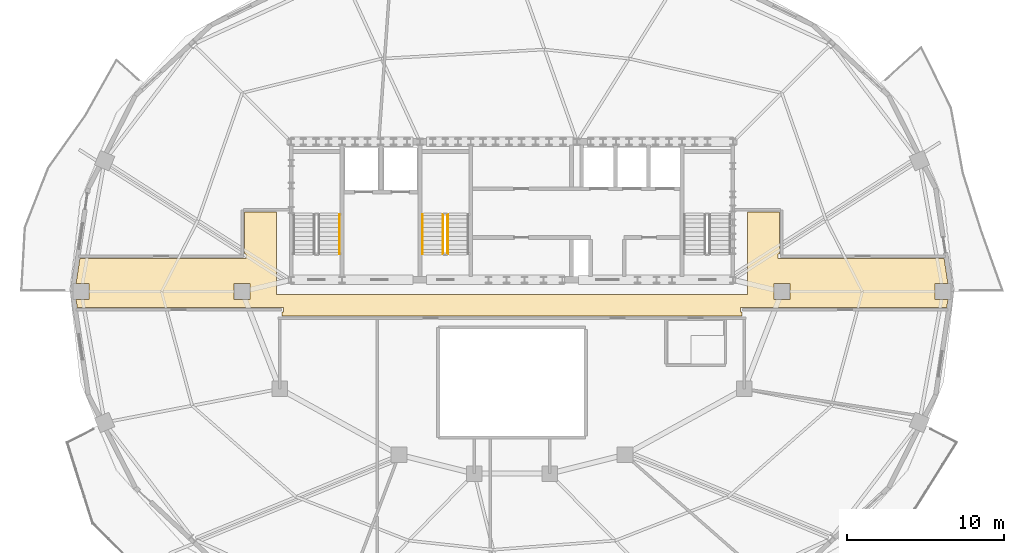
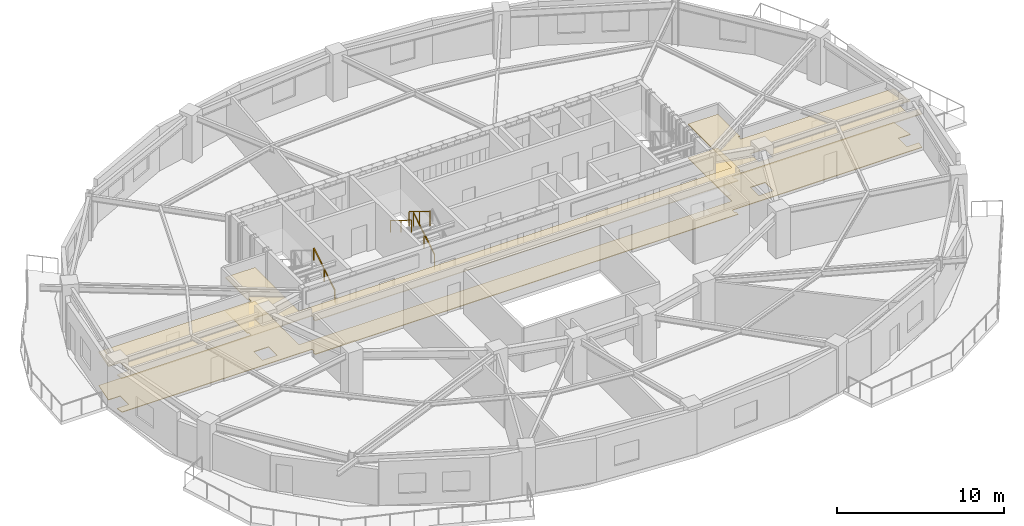
# One storey, part 9 of 11: 4 railings, 2 coverings.
"""IFC4 building model written with IfcOpenShell, lengths in metres."""

import ifcopenshell
import ifcopenshell.guid

model = None  # the IFC model being written
_history = None  # IfcOwnerHistory: only IFC2X3 demands one
_inside = {}  # id of a spatial element -> (the spatial element, [elements in it])
_under = {}  # id of a project, library or spatial element -> (it, [spatial elements below it])
_declared = {}  # id of a project -> (the project, [libraries it declares])
_typed = {}  # id of a type object -> (the type object, [elements of that type])
_made_of = {}  # id of a material, layer set ... -> (it, [elements and type objects made of it])


def new_model(schema):
    """Start an empty IFC model of exactly this schema.

    Asked for "IFC4X3", IfcOpenShell would pick the latest addendum, in which some entities
    have other attributes; the version numbers below select the first issue.
    IFC2X3 requires an IfcOwnerHistory on every rooted entity: one is made here for all.
    """
    global model, _history
    if schema == "IFC4X3":
        model = ifcopenshell.file(schema_version=(4, 3, 0, 0))
    else:
        model = ifcopenshell.file(schema=schema)
    _inside.clear()
    _under.clear()
    _declared.clear()
    _typed.clear()
    _made_of.clear()
    _history = None
    if model.schema == "IFC2X3":
        org = make("IfcOrganization", Name="unknown")
        user = make(
            "IfcPersonAndOrganization",
            ThePerson=make("IfcPerson", FamilyName="unknown"),
            TheOrganization=org,
        )
        app = make(
            "IfcApplication",
            ApplicationDeveloper=org,
            Version="unknown",
            ApplicationFullName="unknown",
            ApplicationIdentifier="unknown",
        )
        _history = make(
            "IfcOwnerHistory",
            OwningUser=user,
            OwningApplication=app,
            ChangeAction="ADDED",
            CreationDate=0,
        )
    return model


def make(cls, **values):
    """One entity of the class cls with the attributes given. An attribute that is None is left unset."""
    return model.create_entity(
        cls, **{name: value for name, value in values.items() if value is not None}
    )


def rooted(cls, **values):
    """An entity with a GlobalId (a new one), such as an element, a storey or a relation."""
    return make(cls, GlobalId=ifcopenshell.guid.new(), OwnerHistory=_history, **values)


def si_unit(unit_type, name, prefix=None):
    """IfcSIUnit, for example si_unit("LENGTHUNIT", "METRE", prefix="MILLI")."""
    return make("IfcSIUnit", UnitType=unit_type, Prefix=prefix, Name=name)


def assignment(units):
    """IfcUnitAssignment: the units of a project."""
    return None if units is None else make("IfcUnitAssignment", Units=units)


def point(xyz):
    """IfcCartesianPoint."""
    return None if xyz is None else make("IfcCartesianPoint", Coordinates=xyz)


def direction(xyz):
    """IfcDirection."""
    return None if xyz is None else make("IfcDirection", DirectionRatios=xyz)


def frame(location, z_axis=None, x_axis=None):
    """IfcAxis2Placement3D, a coordinate frame: its origin and axes. An axis left out is left unset."""
    return make(
        "IfcAxis2Placement3D",
        Location=point(location),
        Axis=direction(z_axis),
        RefDirection=direction(x_axis),
    )


def frame_2d(location, x_axis=None):
    """IfcAxis2Placement2D, a coordinate frame in the plane: its origin and x axis."""
    return make(
        "IfcAxis2Placement2D", Location=point(location), RefDirection=direction(x_axis)
    )


def origin():
    """The frame at (0, 0, 0) with its axes left unset."""
    return frame((0.0, 0.0, 0.0))


def origin_2d():
    """The frame at (0, 0) in the plane with its x axis left unset."""
    return frame_2d((0.0, 0.0))


def place(relative_to, where):
    """IfcLocalPlacement: puts the frame where relative to a parent placement (None: the world)."""
    return make(
        "IfcLocalPlacement", PlacementRelTo=relative_to, RelativePlacement=where
    )


def context(
    kind, dimensions, precision=None, world=None, true_north=None, identifier=None
):
    """IfcGeometricRepresentationContext, for example the 3D "Model" context."""
    return make(
        "IfcGeometricRepresentationContext",
        ContextIdentifier=identifier,
        ContextType=kind,
        CoordinateSpaceDimension=dimensions,
        Precision=precision,
        WorldCoordinateSystem=world,
        TrueNorth=true_north,
    )


def subcontext(parent, identifier, kind, view, scale=None):
    """IfcGeometricRepresentationSubContext, for example "Body" below "Model"."""
    return make(
        "IfcGeometricRepresentationSubContext",
        ContextIdentifier=identifier,
        ContextType=kind,
        ParentContext=parent,
        TargetScale=scale,
        TargetView=view,
    )


def project(units=None, contexts=None):
    """IfcProject with its units and contexts."""
    return rooted(
        "IfcProject",
        Name="project",
        RepresentationContexts=contexts,
        UnitsInContext=assignment(units),
    )


def spatial(cls, under=None, at=None, **own):
    """A site, building, storey or space (cls), placed at a placement, below another one or the project."""
    s = rooted(cls, ObjectPlacement=at, **own)
    if under is not None:
        _under.setdefault(under.id(), (under, []))[1].append(s)
    return s


def polyline(points):
    """IfcPolyline through the points."""
    return make("IfcPolyline", Points=[point(p) for p in points])


def profile(cls, at=None, kind="AREA", **sizes):
    """A parametric profile (cls). Its sizes go by their IFC names, for example OverallWidth=200.0."""
    return make(cls, ProfileType=kind, Position=at, **sizes)


def rectangle(**sizes):
    """IfcRectangleProfileDef."""
    return profile("IfcRectangleProfileDef", **sizes)


def outline(outer, holes=None, kind="AREA"):
    """IfcArbitraryClosedProfileDef: a profile drawn as a closed curve; with holes, ...WithVoids."""
    if holes is None:
        return make("IfcArbitraryClosedProfileDef", ProfileType=kind, OuterCurve=outer)
    return make(
        "IfcArbitraryProfileDefWithVoids",
        ProfileType=kind,
        OuterCurve=outer,
        InnerCurves=holes,
    )


def extrude(swept, where, along, depth):
    """IfcExtrudedAreaSolid: the profile swept, set in the frame where, extruded along a direction by depth."""
    return make(
        "IfcExtrudedAreaSolid",
        SweptArea=swept,
        Position=where,
        ExtrudedDirection=direction(along),
        Depth=depth,
    )


def shape(context_of_items, identifier, shape_type, items):
    """IfcShapeRepresentation: the items that make up one representation, for example the "Body"."""
    return make(
        "IfcShapeRepresentation",
        ContextOfItems=context_of_items,
        RepresentationIdentifier=identifier,
        RepresentationType=shape_type,
        Items=items,
    )


def material(Name=None, Category=None):
    """IfcMaterial."""
    return make("IfcMaterial", Name=Name, Category=Category)


def layer(
    of_material, thickness, ventilated=None, Name=None, Category=None, Priority=None
):
    """IfcMaterialLayer: one layer of a wall or slab, of a material (None: an air gap)."""
    return make(
        "IfcMaterialLayer",
        Material=of_material,
        LayerThickness=thickness,
        IsVentilated=ventilated,
        Name=Name,
        Category=Category,
        Priority=Priority,
    )


def layer_set(layers, Name=None):
    """IfcMaterialLayerSet."""
    return make("IfcMaterialLayerSet", MaterialLayers=layers, LayerSetName=Name)


def made_of(thing, what):
    """Note that an element or type object is made of a material, layer set ...; save() writes the relation."""
    if what is not None:
        _made_of.setdefault(what.id(), (what, []))[1].append(thing)
    return thing


def type_object(cls, material=None, **own):
    """A type object (cls), such as IfcWallType, which elements share."""
    return made_of(rooted(cls, **own), material)


def element(
    cls,
    number,
    at=None,
    inside=None,
    cuts=None,
    type_object=None,
    material=None,
    context=None,
    identifier="Body",
    shape_type=None,
    held_by="IfcProductDefinitionShape",
    body=None,
    shapes=None,
    **own,
):
    """One element of the class cls, such as IfcWall. Its Tag is "e" and its number.

    at: its placement. inside: the storey or other place that contains it. cuts: it is an
    opening in that element (IfcRelVoidsElement). A single representation is given by context,
    identifier, shape_type and body (its items); several are given by shapes. held_by: the class
    of the entity that holds the representations. save() writes the other relations.
    """
    e = rooted(cls, Tag="e%d" % number, ObjectPlacement=at, **own)
    if body is not None:
        shapes = [shape(context, identifier, shape_type, body)]
    if shapes is not None:
        e.Representation = make(held_by, Representations=shapes)
    if inside is not None:
        _inside.setdefault(inside.id(), (inside, []))[1].append(e)
    if cuts is not None:
        rooted(
            "IfcRelVoidsElement", RelatingBuildingElement=cuts, RelatedOpeningElement=e
        )
    if type_object is not None:
        _typed.setdefault(type_object.id(), (type_object, []))[1].append(e)
    return made_of(e, material)


def aggregate(whole, parts):
    """IfcRelAggregates: a whole, such as a stair, and the parts it consists of."""
    return rooted("IfcRelAggregates", RelatingObject=whole, RelatedObjects=parts)


def save(model, path):
    """Write the relations noted so far, then the file.

    IfcRelAggregates (storeys below a building ...), IfcRelContainedInSpatialStructure (elements
    in a storey), IfcRelDefinesByType, IfcRelAssociatesMaterial and IfcRelDeclares: one each for
    every whole, place, type object, material and project.
    """
    for whole, parts in _under.values():
        aggregate(whole, parts)
    for where, things in _inside.values():
        rooted(
            "IfcRelContainedInSpatialStructure",
            RelatedElements=things,
            RelatingStructure=where,
        )
    for kind, things in _typed.values():
        rooted("IfcRelDefinesByType", RelatedObjects=things, RelatingType=kind)
    for what, things in _made_of.values():
        rooted("IfcRelAssociatesMaterial", RelatedObjects=things, RelatingMaterial=what)
    for by, libraries in _declared.values():
        rooted("IfcRelDeclares", RelatingContext=by, RelatedDefinitions=libraries)
    model.write(path)


model = new_model("IFC4")

# Units and contexts
model_context = context("Model", 3, precision=1e-05, world=origin(), true_north=direction((0.0, 1.0)))
body_context = subcontext(model_context, "Body", "Model", "MODEL_VIEW")
ifc_project = project(units=[si_unit("LENGTHUNIT", "METRE"), si_unit("AREAUNIT", "SQUARE_METRE"), si_unit("VOLUMEUNIT", "CUBIC_METRE"), si_unit("PLANEANGLEUNIT", "RADIAN"), si_unit("MASSUNIT", "GRAM", prefix="KILO")], contexts=[model_context])

# Site, building, storey
site_placement = place(None, origin())
site = spatial("IfcSite", under=ifc_project, at=site_placement, CompositionType="ELEMENT")
building_placement = place(site_placement, origin())
building = spatial("IfcBuilding", under=site, at=building_placement, Name="Haldorwick Loom Tower", CompositionType="ELEMENT")
storey_placement = place(building_placement, frame((0.0, 0.0, 230.550048828125)))
storey = spatial("IfcBuildingStorey", under=building, at=storey_placement, Name="L62", CompositionType="ELEMENT", Elevation=230.550048828125)

# Coverings
ifc_material_1 = material(Name="Mineral Fibre Acoustic Ceiling Tile")
ifc_layer_1 = layer(ifc_material_1, 0.054931640625, Name="Mineral Fibre Acoustic Ceiling Tile")
ifc_layer_set_1 = layer_set([ifc_layer_1], Name="Mineral Fibre Acoustic Ceiling Tile")
covering_type_1 = type_object("IfcCoveringType", Name="ARC-COV-CEIL2", PredefinedType="CEILING", material=ifc_layer_set_1)
covering_1_placement = place(storey_placement, frame((0.0, 0.0, 2.458984375)))
element("IfcCovering", 1, at=covering_1_placement, inside=storey, type_object=covering_type_1, Name="L62 Acoustic Suspended Ceiling 1", PredefinedType="CEILING", context=body_context, shape_type="SweptSolid", body=[
    extrude(outline(polyline([(8.2939453125, 24.989990234375), (21.419921875, 24.989990234375), (21.422119140625, 24.989990234375), (21.423828125, 24.989501953125), (21.42578125, 24.989013671875), (21.427734375, 24.988525390625), (21.429443359375, 24.987548828125), (21.43115234375, 24.986572265625), (21.4326171875, 24.985595703125), (21.43408203125, 24.984130859375), (21.435546875, 24.982666015625), (21.4365234375, 24.981201171875), (21.4375, 24.9794921875), (21.4384765625, 24.977783203125), (21.439208984375, 24.975830078125), (21.439697265625, 24.973876953125), (21.43994140625, 24.971923828125), (21.43994140625, 24.969970703125), (21.43994140625, 24.72998046875), (21.43994140625, 24.72802734375), (21.439697265625, 24.72607421875), (21.439208984375, 24.72412109375), (21.4384765625, 24.722412109375), (21.4375, 24.720703125), (21.4365234375, 24.718994140625), (21.435546875, 24.71728515625), (21.43408203125, 24.7158203125), (21.4326171875, 24.714599609375), (21.43115234375, 24.71337890625), (21.429443359375, 24.71240234375), (21.427734375, 24.71142578125), (21.42578125, 24.7109375), (21.423828125, 24.71044921875), (21.422119140625, 24.710205078125), (21.419921875, 24.7099609375), (21.340087890625, 24.7099609375), (21.340087890625, 24.43994140625), (50.659912109375, 24.43994140625), (50.659912109375, 24.7099609375), (50.580078125, 24.7099609375), (50.577880859375, 24.710205078125), (50.576171875, 24.71044921875), (50.57421875, 24.7109375), (50.572265625, 24.71142578125), (50.570556640625, 24.71240234375), (50.56884765625, 24.71337890625), (50.5673828125, 24.714599609375), (50.56591796875, 24.7158203125), (50.564453125, 24.71728515625), (50.5634765625, 24.718994140625), (50.5625, 24.720703125), (50.5615234375, 24.722412109375), (50.560791015625, 24.72412109375), (50.560302734375, 24.72607421875), (50.56005859375, 24.72802734375), (50.56005859375, 24.72998046875), (50.56005859375, 24.969970703125), (50.56005859375, 24.971923828125), (50.560302734375, 24.973876953125), (50.560791015625, 24.975830078125), (50.5615234375, 24.977783203125), (50.5625, 24.9794921875), (50.5634765625, 24.981201171875), (50.564453125, 24.982666015625), (50.56591796875, 24.984130859375), (50.5673828125, 24.985595703125), (50.56884765625, 24.986572265625), (50.570556640625, 24.987548828125), (50.572265625, 24.988525390625), (50.57421875, 24.989013671875), (50.576171875, 24.989501953125), (50.577880859375, 24.989990234375), (50.580078125, 24.989990234375), (63.7060546875, 24.989990234375), (63.782470703125, 25.491943359375), (62.95849609375, 25.491943359375), (62.95849609375, 26.508056640625), (63.782470703125, 26.508056640625), (63.53857421875, 28.110107421875), (52.97998046875, 28.110107421875), (52.97802734375, 28.110107421875), (52.97607421875, 28.1103515625), (52.97412109375, 28.11083984375), (52.972412109375, 28.111572265625), (52.970703125, 28.1123046875), (52.968994140625, 28.11328125), (52.96728515625, 28.114501953125), (52.9658203125, 28.115966796875), (52.964599609375, 28.1171875), (52.96337890625, 28.118896484375), (52.96240234375, 28.12060546875), (52.96142578125, 28.122314453125), (52.9609375, 28.124267578125), (52.96044921875, 28.126220703125), (52.960205078125, 28.1279296875), (52.9599609375, 28.1298828125), (52.9599609375, 28.3701171875), (52.960205078125, 28.3720703125), (52.96044921875, 28.373779296875), (52.9609375, 28.375732421875), (52.96142578125, 28.377685546875), (52.96240234375, 28.37939453125), (52.96337890625, 28.381103515625), (52.964599609375, 28.3828125), (52.9658203125, 28.384033203125), (52.96728515625, 28.385498046875), (52.968994140625, 28.38671875), (52.970703125, 28.3876953125), (52.972412109375, 28.388427734375), (52.97412109375, 28.38916015625), (52.97607421875, 28.3896484375), (52.97802734375, 28.389892578125), (52.97998046875, 28.389892578125), (53.06005859375, 28.389892578125), (53.06005859375, 31.06005859375), (51.0, 31.06005859375), (51.0, 25.800048828125), (21.0, 25.800048828125), (21.0, 31.06005859375), (18.93994140625, 31.06005859375), (18.93994140625, 28.389892578125), (19.02001953125, 28.389892578125), (19.02197265625, 28.389892578125), (19.02392578125, 28.3896484375), (19.02587890625, 28.38916015625), (19.027587890625, 28.388427734375), (19.029296875, 28.3876953125), (19.031005859375, 28.38671875), (19.03271484375, 28.385498046875), (19.0341796875, 28.384033203125), (19.035400390625, 28.3828125), (19.03662109375, 28.381103515625), (19.03759765625, 28.37939453125), (19.03857421875, 28.377685546875), (19.0390625, 28.375732421875), (19.03955078125, 28.373779296875), (19.039794921875, 28.3720703125), (19.0400390625, 28.3701171875), (19.0400390625, 28.1298828125), (19.039794921875, 28.1279296875), (19.03955078125, 28.126220703125), (19.0390625, 28.124267578125), (19.03857421875, 28.122314453125), (19.03759765625, 28.12060546875), (19.03662109375, 28.118896484375), (19.035400390625, 28.1171875), (19.0341796875, 28.115966796875), (19.03271484375, 28.114501953125), (19.031005859375, 28.11328125), (19.029296875, 28.1123046875), (19.027587890625, 28.111572265625), (19.02587890625, 28.11083984375), (19.02392578125, 28.1103515625), (19.02197265625, 28.110107421875), (19.02001953125, 28.110107421875), (8.46142578125, 28.110107421875), (8.217529296875, 26.508056640625), (9.04150390625, 26.508056640625), (9.04150390625, 25.491943359375), (8.217529296875, 25.491943359375), (8.2939453125, 24.989990234375)]), holes=[polyline([(19.30810546875, 26.508056640625), (19.30810546875, 25.491943359375), (18.2919921875, 25.491943359375), (18.2919921875, 26.508056640625), (19.30810546875, 26.508056640625)]), polyline([(53.7080078125, 26.508056640625), (53.7080078125, 25.491943359375), (52.69189453125, 25.491943359375), (52.69189453125, 26.508056640625), (53.7080078125, 26.508056640625)])]), origin(), (0.0, 0.0, 1.0), 0.054931640625),
])
ifc_material_2 = material(Name="Polished Aggregate Terrazzo Finish")
ifc_layer_2 = layer(ifc_material_2, 0.044921875, Name="Polished Aggregate Terrazzo Finish")
ifc_layer_set_2 = layer_set([ifc_layer_2], Name="Polished Aggregate Terrazzo Finish")
covering_type_2 = type_object("IfcCoveringType", Name="ARC-COV-FLOOR2", PredefinedType="FLOORING", material=ifc_layer_set_2)
covering_2_placement = place(storey_placement, origin())
element("IfcCovering", 2, at=covering_2_placement, inside=storey, type_object=covering_type_2, Name="L62 Floor Finish 1", PredefinedType="FLOORING", context=body_context, shape_type="SweptSolid", body=[
    extrude(outline(polyline([(8.2939453125, 24.989990234375), (21.419921875, 24.989990234375), (21.422119140625, 24.989990234375), (21.423828125, 24.989501953125), (21.42578125, 24.989013671875), (21.427734375, 24.988525390625), (21.429443359375, 24.987548828125), (21.43115234375, 24.986572265625), (21.4326171875, 24.985595703125), (21.43408203125, 24.984130859375), (21.435546875, 24.982666015625), (21.4365234375, 24.981201171875), (21.4375, 24.9794921875), (21.4384765625, 24.977783203125), (21.439208984375, 24.975830078125), (21.439697265625, 24.973876953125), (21.43994140625, 24.971923828125), (21.43994140625, 24.969970703125), (21.43994140625, 24.72998046875), (21.43994140625, 24.72802734375), (21.439697265625, 24.72607421875), (21.439208984375, 24.72412109375), (21.4384765625, 24.722412109375), (21.4375, 24.720703125), (21.4365234375, 24.718994140625), (21.435546875, 24.71728515625), (21.43408203125, 24.7158203125), (21.4326171875, 24.714599609375), (21.43115234375, 24.71337890625), (21.429443359375, 24.71240234375), (21.427734375, 24.71142578125), (21.42578125, 24.7109375), (21.423828125, 24.71044921875), (21.422119140625, 24.710205078125), (21.419921875, 24.7099609375), (21.340087890625, 24.7099609375), (21.340087890625, 24.43994140625), (50.659912109375, 24.43994140625), (50.659912109375, 24.7099609375), (50.580078125, 24.7099609375), (50.577880859375, 24.710205078125), (50.576171875, 24.71044921875), (50.57421875, 24.7109375), (50.572265625, 24.71142578125), (50.570556640625, 24.71240234375), (50.56884765625, 24.71337890625), (50.5673828125, 24.714599609375), (50.56591796875, 24.7158203125), (50.564453125, 24.71728515625), (50.5634765625, 24.718994140625), (50.5625, 24.720703125), (50.5615234375, 24.722412109375), (50.560791015625, 24.72412109375), (50.560302734375, 24.72607421875), (50.56005859375, 24.72802734375), (50.56005859375, 24.72998046875), (50.56005859375, 24.969970703125), (50.56005859375, 24.971923828125), (50.560302734375, 24.973876953125), (50.560791015625, 24.975830078125), (50.5615234375, 24.977783203125), (50.5625, 24.9794921875), (50.5634765625, 24.981201171875), (50.564453125, 24.982666015625), (50.56591796875, 24.984130859375), (50.5673828125, 24.985595703125), (50.56884765625, 24.986572265625), (50.570556640625, 24.987548828125), (50.572265625, 24.988525390625), (50.57421875, 24.989013671875), (50.576171875, 24.989501953125), (50.577880859375, 24.989990234375), (50.580078125, 24.989990234375), (63.7060546875, 24.989990234375), (63.782470703125, 25.491943359375), (62.95849609375, 25.491943359375), (62.95849609375, 26.508056640625), (63.782470703125, 26.508056640625), (63.53857421875, 28.110107421875), (52.97998046875, 28.110107421875), (52.97802734375, 28.110107421875), (52.97607421875, 28.1103515625), (52.97412109375, 28.11083984375), (52.972412109375, 28.111572265625), (52.970703125, 28.1123046875), (52.968994140625, 28.11328125), (52.96728515625, 28.114501953125), (52.9658203125, 28.115966796875), (52.964599609375, 28.1171875), (52.96337890625, 28.118896484375), (52.96240234375, 28.12060546875), (52.96142578125, 28.122314453125), (52.9609375, 28.124267578125), (52.96044921875, 28.126220703125), (52.960205078125, 28.1279296875), (52.9599609375, 28.1298828125), (52.9599609375, 28.3701171875), (52.960205078125, 28.3720703125), (52.96044921875, 28.373779296875), (52.9609375, 28.375732421875), (52.96142578125, 28.377685546875), (52.96240234375, 28.37939453125), (52.96337890625, 28.381103515625), (52.964599609375, 28.3828125), (52.9658203125, 28.384033203125), (52.96728515625, 28.385498046875), (52.968994140625, 28.38671875), (52.970703125, 28.3876953125), (52.972412109375, 28.388427734375), (52.97412109375, 28.38916015625), (52.97607421875, 28.3896484375), (52.97802734375, 28.389892578125), (52.97998046875, 28.389892578125), (53.06005859375, 28.389892578125), (53.06005859375, 31.06005859375), (51.0, 31.06005859375), (51.0, 25.800048828125), (21.0, 25.800048828125), (21.0, 31.06005859375), (18.93994140625, 31.06005859375), (18.93994140625, 28.389892578125), (19.02001953125, 28.389892578125), (19.02197265625, 28.389892578125), (19.02392578125, 28.3896484375), (19.02587890625, 28.38916015625), (19.027587890625, 28.388427734375), (19.029296875, 28.3876953125), (19.031005859375, 28.38671875), (19.03271484375, 28.385498046875), (19.0341796875, 28.384033203125), (19.035400390625, 28.3828125), (19.03662109375, 28.381103515625), (19.03759765625, 28.37939453125), (19.03857421875, 28.377685546875), (19.0390625, 28.375732421875), (19.03955078125, 28.373779296875), (19.039794921875, 28.3720703125), (19.0400390625, 28.3701171875), (19.0400390625, 28.1298828125), (19.039794921875, 28.1279296875), (19.03955078125, 28.126220703125), (19.0390625, 28.124267578125), (19.03857421875, 28.122314453125), (19.03759765625, 28.12060546875), (19.03662109375, 28.118896484375), (19.035400390625, 28.1171875), (19.0341796875, 28.115966796875), (19.03271484375, 28.114501953125), (19.031005859375, 28.11328125), (19.029296875, 28.1123046875), (19.027587890625, 28.111572265625), (19.02587890625, 28.11083984375), (19.02392578125, 28.1103515625), (19.02197265625, 28.110107421875), (19.02001953125, 28.110107421875), (8.46142578125, 28.110107421875), (8.217529296875, 26.508056640625), (9.04150390625, 26.508056640625), (9.04150390625, 25.491943359375), (8.217529296875, 25.491943359375), (8.2939453125, 24.989990234375)]), holes=[polyline([(19.30810546875, 26.508056640625), (19.30810546875, 25.491943359375), (18.2919921875, 25.491943359375), (18.2919921875, 26.508056640625), (19.30810546875, 26.508056640625)]), polyline([(53.7080078125, 26.508056640625), (53.7080078125, 25.491943359375), (52.69189453125, 25.491943359375), (52.69189453125, 26.508056640625), (53.7080078125, 26.508056640625)])]), origin(), (0.0, 0.0, 1.0), 0.044921875),
])

# Railings
ifc_material_3 = material(Name="Steel CSA G40.21 350W", Category="steel")
railing_type_1 = type_object("IfcRailingType", Name="ARC-RLG-GUARD112", PredefinedType="GUARDRAIL", material=ifc_material_3)
railing_1_placement = place(storey_placement, frame((31.89990234375, 28.39990234375, 0.17236328125)))
element("IfcRailing", 3, at=railing_1_placement, inside=storey, type_object=railing_type_1, Name="L62 ST-03 stair guard 1", PredefinedType="GUARDRAIL", context=body_context, shape_type="SweptSolid", body=[
    extrude(rectangle(XDim=0.048095703125, YDim=0.048095703125, at=origin_2d()), frame((0.0, 0.0, 1.076171875), z_axis=(0.0, 0.851400495292, 0.524516154772), x_axis=(-1.0, 0.0, 0.0)), (0.0, 0.0, 1.0), 2.9599609375),
    extrude(rectangle(XDim=0.0419921875, YDim=0.0419921875, at=origin_2d()), origin(), (0.0, 0.0, 1.0), 1.052001953125),
    extrude(rectangle(XDim=0.0419921875, YDim=0.0419921875, at=origin_2d()), frame((0.0, 1.260009765625, 0.7763671875)), (0.0, 0.0, 1.0), 1.052001953125),
    extrude(rectangle(XDim=0.0419921875, YDim=0.0419921875, at=origin_2d()), frame((0.0, 2.52001953125, 1.552490234375)), (0.0, 0.0, 1.0), 1.052001953125),
])
railing_2_placement = place(storey_placement, frame((31.60009765625, 30.919921875, 1.8974609375)))
element("IfcRailing", 4, at=railing_2_placement, inside=storey, type_object=railing_type_1, Name="L62 ST-03 stair guard 3", PredefinedType="GUARDRAIL", context=body_context, shape_type="SweptSolid", body=[
    extrude(rectangle(XDim=0.048095703125, YDim=0.048095703125, at=origin_2d()), frame((0.0, 0.0, 1.076171875), z_axis=(0.0, -0.851400495292, 0.524516154772), x_axis=(1.0, 0.0, 0.0)), (0.0, 0.0, 1.0), 2.9599609375),
    extrude(rectangle(XDim=0.0419921875, YDim=0.0419921875, at=origin_2d()), origin(), (0.0, 0.0, 1.0), 1.052001953125),
    extrude(rectangle(XDim=0.0419921875, YDim=0.0419921875, at=origin_2d()), frame((0.0, -1.260009765625, 0.7763671875)), (0.0, 0.0, 1.0), 1.052001953125),
    extrude(rectangle(XDim=0.0419921875, YDim=0.0419921875, at=origin_2d()), frame((0.0, -2.52001953125, 1.552490234375)), (0.0, 0.0, 1.0), 1.052001953125),
])
railing_type_2 = type_object("IfcRailingType", Name="ARC-RLG-HAND092", PredefinedType="HANDRAIL", material=ifc_material_3)
railing_3_placement = place(storey_placement, frame((25.0, 28.39990234375, 0.17236328125)))
element("IfcRailing", 5, at=railing_3_placement, inside=storey, type_object=railing_type_2, Name="L62 ST-01 stair handrail 1", PredefinedType="HANDRAIL", context=body_context, shape_type="SweptSolid", body=[
    extrude(rectangle(XDim=0.048095703125, YDim=0.048095703125, at=origin_2d()), frame((0.0, 0.0, 0.8759765625), z_axis=(0.0, 0.851400495292, 0.524516154772), x_axis=(-1.0, 0.0, 0.0)), (0.0, 0.0, 1.0), 2.9599609375),
    extrude(rectangle(XDim=0.0419921875, YDim=0.0419921875, at=origin_2d()), origin(), (0.0, 0.0, 1.0), 0.851806640625),
    extrude(rectangle(XDim=0.0419921875, YDim=0.0419921875, at=origin_2d()), frame((0.0, 1.260009765625, 0.7763671875)), (0.0, 0.0, 1.0), 0.851806640625),
    extrude(rectangle(XDim=0.0419921875, YDim=0.0419921875, at=origin_2d()), frame((0.0, 2.52001953125, 1.552490234375)), (0.0, 0.0, 1.0), 0.851806640625),
])
railing_4_placement = place(storey_placement, frame((30.300048828125, 30.919921875, 1.8974609375)))
element("IfcRailing", 6, at=railing_4_placement, inside=storey, type_object=railing_type_2, Name="L62 ST-03 stair handrail 2", PredefinedType="HANDRAIL", context=body_context, shape_type="SweptSolid", body=[
    extrude(rectangle(XDim=0.048095703125, YDim=0.048095703125, at=origin_2d()), frame((0.0, 0.0, 0.8759765625), z_axis=(0.0, -0.851400495292, 0.524516154772), x_axis=(1.0, 0.0, 0.0)), (0.0, 0.0, 1.0), 2.9599609375),
    extrude(rectangle(XDim=0.0419921875, YDim=0.0419921875, at=origin_2d()), origin(), (0.0, 0.0, 1.0), 0.851806640625),
    extrude(rectangle(XDim=0.0419921875, YDim=0.0419921875, at=origin_2d()), frame((0.0, -1.260009765625, 0.7763671875)), (0.0, 0.0, 1.0), 0.851806640625),
    extrude(rectangle(XDim=0.0419921875, YDim=0.0419921875, at=origin_2d()), frame((0.0, -2.52001953125, 1.552490234375)), (0.0, 0.0, 1.0), 0.851806640625),
])

save(model, "model.ifc")
